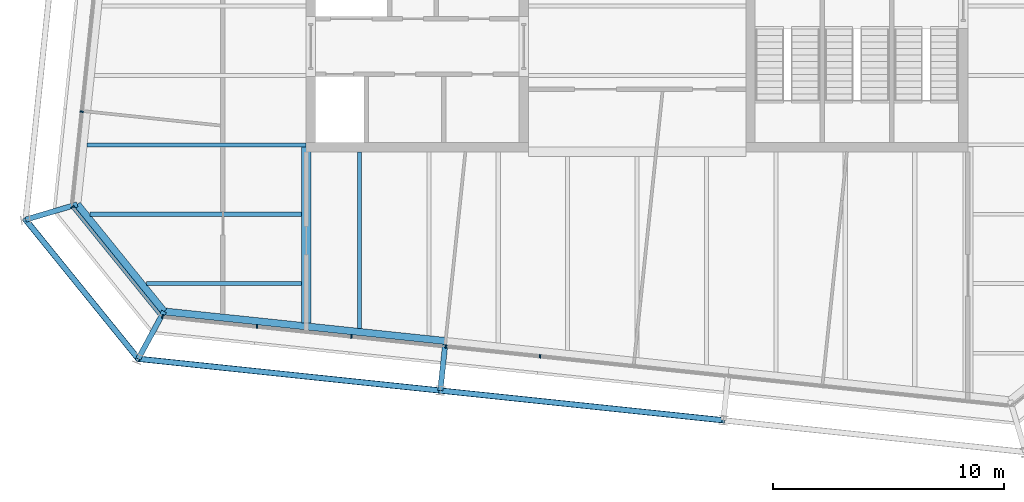
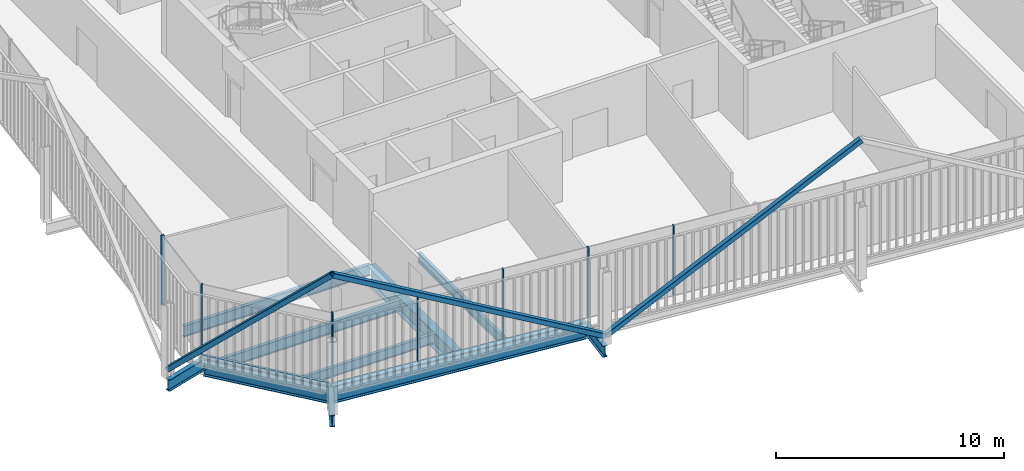
# One storey, part 3 of 21: 11 members, 10 beams, 3 elements without a shape of their own.
"""IFC4 building model written with IfcOpenShell, lengths in metres."""

from ifc_helpers import new_model, si_unit, direction, frame, origin, origin_2d, place, context, subcontext, project, spatial, rectangle, hollow_rectangle, i_section, extrude, material, layer, layer_set, material_profile, profile_set, type_object, element, aggregate, save


model = new_model("IFC4")

# Units and contexts
model_context = context("Model", 3, precision=1e-05, world=origin(), true_north=direction((0.0, 1.0)))
body_context = subcontext(model_context, "Body", "Model", "MODEL_VIEW")
ifc_project = project(units=[si_unit("LENGTHUNIT", "METRE"), si_unit("AREAUNIT", "SQUARE_METRE"), si_unit("VOLUMEUNIT", "CUBIC_METRE"), si_unit("PLANEANGLEUNIT", "RADIAN"), si_unit("MASSUNIT", "GRAM", prefix="KILO")], contexts=[model_context])

# Site, building, storey
site_placement = place(None, origin())
site = spatial("IfcSite", under=ifc_project, at=site_placement, CompositionType="ELEMENT")
building_placement = place(site_placement, origin())
building = spatial("IfcBuilding", under=site, at=building_placement, Name="Millrace Tower", CompositionType="ELEMENT")
storey_placement = place(building_placement, frame((0.0, 0.0, 291.60009765625)))
storey = spatial("IfcBuildingStorey", under=building, at=storey_placement, Name="L67", CompositionType="ELEMENT", Elevation=291.60009765625)

# Curtain wall, member
ifc_material_1 = material(Name="Aluminium and glass", Category="aluminium")
ifc_layer = layer(ifc_material_1, 0.14990234375)
ifc_layer_set = layer_set([ifc_layer], Name="Aluminium and glass")
curtain_wall_type = type_object("IfcCurtainWallType", Name="CW-1 office vision curtain wall", PredefinedType="NOTDEFINED", material=ifc_layer_set)
placement = place(storey_placement, origin())
curtain_wall_1 = element("IfcCurtainWall", 1, at=placement, inside=storey, type_object=curtain_wall_type, Name="Curtain wall E-F01 L67", PredefinedType="NOTDEFINED")
ifc_material_2 = material(Name="Aluminium", Category="aluminium")
ifc_material_profile_1 = material_profile(ifc_material_2, rectangle(XDim=0.06494140625, YDim=0.14990234375, at=origin_2d()))
ifc_profile_set_1 = profile_set([ifc_material_profile_1], Name="Aluminium")
member_type_1 = type_object("IfcMemberType", Name="CW-1 office vision curtain wall mullion", PredefinedType="MULLION", material=ifc_profile_set_1)
member_1_placement = place(storey_placement, frame((-24.391845703125, -11.693359375, 0.139892578125), z_axis=(0.0, 0.0, 1.0), x_axis=(0.629320278945, -0.777146052237, 0.0)))
member_1 = element("IfcMember", 2, at=member_1_placement, type_object=member_type_1, Name="CW1 mullion E-F01.1", PredefinedType="MULLION", context=body_context, shape_type="SweptSolid", body=[
    extrude(rectangle(XDim=0.06494140625, YDim=0.14990234375, at=origin_2d()), origin(), (0.0, 0.0, 1.0), 3.760009765625),
])

# Curtain wall, members
curtain_wall_2 = element("IfcCurtainWall", 3, at=placement, inside=storey, type_object=curtain_wall_type, Name="Curtain wall E-F02 L67", PredefinedType="NOTDEFINED")
member_2_placement = place(storey_placement, frame((-20.50244140625, -16.4248046875, 0.139892578125), z_axis=(0.0, 0.0, 1.0), x_axis=(0.994521896217, -0.104528455196, 0.0)))
member_2 = element("IfcMember", 4, at=member_2_placement, type_object=member_type_1, Name="CW1 mullion E-F02.1", PredefinedType="MULLION", context=body_context, shape_type="SweptSolid", body=[
    extrude(rectangle(XDim=0.06494140625, YDim=0.14990234375, at=origin_2d()), origin(), (0.0, 0.0, 1.0), 3.760009765625),
])
member_3_placement = place(storey_placement, frame((-16.425048828125, -16.853271484375, 0.139892578125), z_axis=(0.0, 0.0, 1.0), x_axis=(0.994521896217, -0.104528455196, 0.0)))
member_3 = element("IfcMember", 5, at=member_3_placement, type_object=member_type_1, Name="CW1 mullion E-F02.2", PredefinedType="MULLION", context=body_context, shape_type="SweptSolid", body=[
    extrude(rectangle(XDim=0.06494140625, YDim=0.14990234375, at=origin_2d()), origin(), (0.0, 0.0, 1.0), 3.760009765625),
])
member_4_placement = place(storey_placement, frame((-12.347412109375, -17.281982421875, 0.139892578125), z_axis=(0.0, 0.0, 1.0), x_axis=(0.994521896217, -0.104528455196, 0.0)))
member_4 = element("IfcMember", 6, at=member_4_placement, type_object=member_type_1, Name="CW1 mullion E-F02.3", PredefinedType="MULLION", context=body_context, shape_type="SweptSolid", body=[
    extrude(rectangle(XDim=0.06494140625, YDim=0.14990234375, at=origin_2d()), origin(), (0.0, 0.0, 1.0), 3.760009765625),
])
member_5_placement = place(storey_placement, frame((-8.269775390625, -17.71044921875, 0.139892578125), z_axis=(0.0, 0.0, 1.0), x_axis=(0.994521896217, -0.104528455196, 0.0)))
member_5 = element("IfcMember", 7, at=member_5_placement, type_object=member_type_1, Name="CW1 mullion E-F02.4", PredefinedType="MULLION", context=body_context, shape_type="SweptSolid", body=[
    extrude(rectangle(XDim=0.06494140625, YDim=0.14990234375, at=origin_2d()), origin(), (0.0, 0.0, 1.0), 3.760009765625),
])
member_6_placement = place(storey_placement, frame((-4.1923828125, -18.13916015625, 0.139892578125), z_axis=(0.0, 0.0, 1.0), x_axis=(0.994521896217, -0.104528455196, 0.0)))
member_6 = element("IfcMember", 8, at=member_6_placement, type_object=member_type_1, Name="CW1 mullion E-F02.5", PredefinedType="MULLION", context=body_context, shape_type="SweptSolid", body=[
    extrude(rectangle(XDim=0.06494140625, YDim=0.14990234375, at=origin_2d()), origin(), (0.0, 0.0, 1.0), 3.760009765625),
])
aggregate(curtain_wall_2, [member_2, member_3, member_4, member_5, member_6])

# Curtain wall, member
curtain_wall_3 = element("IfcCurtainWall", 9, at=placement, inside=storey, type_object=curtain_wall_type, Name="Curtain wall E-F08 L67", PredefinedType="NOTDEFINED")
member_7_placement = place(storey_placement, frame((-24.00341796875, -7.56787109375, 0.139892578125), z_axis=(0.0, 0.0, 1.0), x_axis=(-0.104528455196, -0.994521896217, 0.0)))
member_7 = element("IfcMember", 10, at=member_7_placement, type_object=member_type_1, Name="CW1 mullion E-F08.9", PredefinedType="MULLION", context=body_context, shape_type="SweptSolid", body=[
    extrude(rectangle(XDim=0.06494140625, YDim=0.14990234375, at=origin_2d()), origin(), (0.0, 0.0, 1.0), 3.760009765625),
])
aggregate(curtain_wall_3, [member_7])

# Member
ifc_material_3 = material(Name="Aluminium", Category="aluminium")
ifc_material_profile_2 = material_profile(ifc_material_3, rectangle(XDim=0.14990234375, YDim=0.139892578125, at=origin_2d()))
ifc_profile_set_2 = profile_set([ifc_material_profile_2], Name="Aluminium")
member_type_2 = type_object("IfcMemberType", Name="CW-1 office vision curtain wall transom", PredefinedType="USERDEFINED", material=ifc_profile_set_2)
member_8_placement = place(storey_placement, frame((-24.349365234375, -11.745849609375, 0.06982421875), z_axis=(0.629321221277, -0.777145289151, 0.0), x_axis=(0.777145289151, 0.629321221277, 0.0)))
member_8 = element("IfcMember", 11, at=member_8_placement, type_object=member_type_2, Name="CW1 transom E-F01.1", ObjectType="TRANSOM", PredefinedType="USERDEFINED", context=body_context, shape_type="SweptSolid", body=[
    extrude(rectangle(XDim=0.14990234375, YDim=0.139892578125, at=origin_2d()), origin(), (0.0, 0.0, 1.0), 5.881103515625),
])

aggregate(curtain_wall_1, [member_1, member_8])

# Members
ifc_material_4 = material(Name="Steel ASTM A500 Grade C", Category="steel")
ifc_material_profile_3 = material_profile(ifc_material_4, hollow_rectangle(XDim=0.25390625, YDim=0.25390625, WallThickness=0.0126953125, InnerFilletRadius=0.00634765625, OuterFilletRadius=0.01904296875, at=origin_2d()))
ifc_profile_set_3 = profile_set([ifc_material_profile_3], Name="Steel ASTM A500 Grade C")
member_type_3 = type_object("IfcMemberType", Name="Exoskeleton brace HSS10x10x1/2", PredefinedType="BRACE", material=ifc_profile_set_3)
member_9_placement = place(storey_placement, frame((-26.429443359375, -12.23583984375, 0.39990234375), z_axis=(0.466694392708, -0.57631352586, 0.670864415308), x_axis=(0.777142728993, 0.62932438279, 0.0)))
element("IfcMember", 12, at=member_9_placement, inside=storey, type_object=member_type_3, Name="BRC-E-L67-01", PredefinedType="BRACE", context=body_context, shape_type="SweptSolid", body=[
    extrude(hollow_rectangle(XDim=0.25390625, YDim=0.25390625, WallThickness=0.0126953125, InnerFilletRadius=0.00634765625, OuterFilletRadius=0.01904296875, at=origin_2d()), origin(), (0.0, 0.0, 1.0), 10.434326171875),
])
member_10_placement = place(storey_placement, frame((-8.50341796875, -19.62158203125, 0.39990234375), z_axis=(-0.877568210125, 0.092238278747, 0.470495628578), x_axis=(-0.104530865473, -0.994521642883, 0.0)))
element("IfcMember", 13, at=member_10_placement, inside=storey, type_object=member_type_3, Name="BRC-E-L67-02", PredefinedType="BRACE", context=body_context, shape_type="SweptSolid", body=[
    extrude(hollow_rectangle(XDim=0.25390625, YDim=0.25390625, WallThickness=0.0126953125, InnerFilletRadius=0.00634765625, OuterFilletRadius=0.01904296875, at=origin_2d()), origin(), (0.0, 0.0, 1.0), 14.8779296875),
])
member_11_placement = place(storey_placement, frame((-8.50341796875, -19.62158203125, 0.39990234375), z_axis=(0.864351522622, -0.090842732624, 0.494615045537), x_axis=(0.104523600289, 0.994522406476, 0.0)))
element("IfcMember", 14, at=member_11_placement, inside=storey, type_object=member_type_3, Name="BRC-E-L67-03", PredefinedType="BRACE", context=body_context, shape_type="SweptSolid", body=[
    extrude(hollow_rectangle(XDim=0.25390625, YDim=0.25390625, WallThickness=0.0126953125, InnerFilletRadius=0.00634765625, OuterFilletRadius=0.01904296875, at=origin_2d()), origin(), (0.0, 0.0, 1.0), 14.15234375),
])

# Beams
ifc_material_5 = material(Name="Steel ASTM A992 Grade 50", Category="steel")
ifc_material_profile_4 = material_profile(ifc_material_5, i_section(OverallWidth=0.1650390625, OverallDepth=0.52587890625, WebThickness=0.0087890625, FlangeThickness=0.011474609375, FilletRadius=0.0126953125, at=origin_2d()))
ifc_profile_set_4 = profile_set([ifc_material_profile_4], Name="Steel ASTM A992 Grade 50")
beam_type_1 = type_object("IfcBeamType", Name="Floor beam W21x44", PredefinedType="JOIST", material=ifc_profile_set_4)
beam_1_placement = place(storey_placement, frame((-12.0, -16.93408203125, -0.423095703125), z_axis=(0.0, 1.0, 0.0), x_axis=(-1.0, 0.0, 0.0)))
element("IfcBeam", 15, at=beam_1_placement, inside=storey, type_object=beam_type_1, Name="BM-E-L67-S1-S037", PredefinedType="JOIST", context=body_context, shape_type="SweptSolid", body=[
    extrude(i_section(OverallWidth=0.1650390625, OverallDepth=0.52587890625, WebThickness=0.0087890625, FlangeThickness=0.011474609375, FilletRadius=0.0126953125, at=origin_2d()), origin(), (0.0, 0.0, 1.0), 7.634033203125),
])
beam_2_placement = place(storey_placement, frame((-21.214111328125, -15.0, -0.423095703125), z_axis=(1.0, 0.0, 0.0), x_axis=(0.0, 1.0, 0.0)))
element("IfcBeam", 16, at=beam_2_placement, inside=storey, type_object=beam_type_1, Name="BM-E-L67-S1-S002", PredefinedType="JOIST", context=body_context, shape_type="SweptSolid", body=[
    extrude(i_section(OverallWidth=0.1650390625, OverallDepth=0.52587890625, WebThickness=0.0087890625, FlangeThickness=0.011474609375, FilletRadius=0.0126953125, at=origin_2d()), origin(), (0.0, 0.0, 1.0), 6.70458984375),
])
ifc_material_6 = material(Name="Steel ASTM A992 Grade 50", Category="steel")
ifc_material_profile_5 = material_profile(ifc_material_6, i_section(OverallWidth=0.177978515625, OverallDepth=0.599365234375, WebThickness=0.010009765625, FlangeThickness=0.012939453125, FilletRadius=0.012939453125, at=origin_2d()))
ifc_profile_set_5 = profile_set([ifc_material_profile_5], Name="Steel ASTM A992 Grade 50")
beam_type_2 = type_object("IfcBeamType", Name="Floor beam W24x55", PredefinedType="JOIST", material=ifc_profile_set_5)
beam_3_placement = place(storey_placement, frame((-23.76953125, -9.0, -0.459716796875), z_axis=(1.0, 0.0, 0.0), x_axis=(0.0, 1.0, 0.0)))
element("IfcBeam", 17, at=beam_3_placement, inside=storey, type_object=beam_type_2, Name="BM-E-L67-S1-S006", PredefinedType="JOIST", context=body_context, shape_type="SweptSolid", body=[
    extrude(i_section(OverallWidth=0.177978515625, OverallDepth=0.599365234375, WebThickness=0.010009765625, FlangeThickness=0.012939453125, FilletRadius=0.012939453125, at=origin_2d()), origin(), (0.0, 0.0, 1.0), 9.469482421875),
])
beam_4_placement = place(storey_placement, frame((-23.635498046875, -12.0, -0.459716796875), z_axis=(1.0, 0.0, 0.0), x_axis=(0.0, 1.0, 0.0)))
element("IfcBeam", 18, at=beam_4_placement, inside=storey, type_object=beam_type_2, Name="BM-E-L67-S1-S004", PredefinedType="JOIST", context=body_context, shape_type="SweptSolid", body=[
    extrude(i_section(OverallWidth=0.177978515625, OverallDepth=0.599365234375, WebThickness=0.010009765625, FlangeThickness=0.012939453125, FilletRadius=0.012939453125, at=origin_2d()), origin(), (0.0, 0.0, 1.0), 9.1259765625),
])
ifc_material_7 = material(Name="Steel ASTM A992 Grade 50", Category="steel")
ifc_material_profile_6 = material_profile(ifc_material_7, i_section(OverallWidth=0.419189453125, OverallDepth=0.927001953125, WebThickness=0.019287109375, FlangeThickness=0.031982421875, FilletRadius=0.024169921875, at=origin_2d()))
ifc_profile_set_6 = profile_set([ifc_material_profile_6], Name="Steel ASTM A992 Grade 50")
beam_type_3 = type_object("IfcBeamType", Name="Girder short span W36x231", PredefinedType="BEAM", material=ifc_profile_set_6)
beam_5_placement = place(storey_placement, frame((-14.300048828125, -16.6923828125, -0.62353515625), z_axis=(0.0, 1.0, 0.0), x_axis=(-1.0, 0.0, 0.0)))
element("IfcBeam", 19, at=beam_5_placement, inside=storey, type_object=beam_type_3, Name="BM-E-L67-S1-G055", PredefinedType="BEAM", context=body_context, shape_type="SweptSolid", body=[
    extrude(i_section(OverallWidth=0.419189453125, OverallDepth=0.927001953125, WebThickness=0.019287109375, FlangeThickness=0.031982421875, FilletRadius=0.024169921875, at=origin_2d()), origin(), (0.0, 0.0, 1.0), 7.600341796875),
])
ifc_material_8 = material(Name="Steel ASTM A992 Grade 50", Category="steel")
ifc_material_profile_7 = material_profile(ifc_material_8, i_section(OverallWidth=0.23046875, OverallDepth=0.6171875, WebThickness=0.01318359375, FlangeThickness=0.022216796875, FilletRadius=0.012939453125, at=origin_2d()))
ifc_profile_set_7 = profile_set([ifc_material_profile_7], Name="Steel ASTM A992 Grade 50")
beam_type_4 = type_object("IfcBeamType", Name="Link beam W24x94", PredefinedType="BEAM", material=ifc_profile_set_7)
beam_6_placement = place(storey_placement, frame((-24.1943359375, -11.57373046875, -0.46875), z_axis=(-0.958815015936, -0.284031275065, 0.0), x_axis=(0.284031275065, -0.958815015936, 0.0)))
element("IfcBeam", 20, at=beam_6_placement, inside=storey, type_object=beam_type_4, Name="LNK-E-L67-S1-01", PredefinedType="BEAM", context=body_context, shape_type="SweptSolid", body=[
    extrude(i_section(OverallWidth=0.23046875, OverallDepth=0.6171875, WebThickness=0.01318359375, FlangeThickness=0.022216796875, FilletRadius=0.012939453125, at=origin_2d()), origin(), (0.0, 0.0, 1.0), 2.3310546875),
])
beam_7_placement = place(storey_placement, frame((-8.29443359375, -17.632568359375, -0.46875), z_axis=(-0.104494148666, -0.99452550138, 0.0), x_axis=(0.99452550138, -0.104494148666, 0.0)))
element("IfcBeam", 21, at=beam_7_placement, inside=storey, type_object=beam_type_4, Name="LNK-E-L67-S1-15", PredefinedType="BEAM", context=body_context, shape_type="SweptSolid", body=[
    extrude(i_section(OverallWidth=0.23046875, OverallDepth=0.6171875, WebThickness=0.01318359375, FlangeThickness=0.022216796875, FilletRadius=0.012939453125, at=origin_2d()), origin(), (0.0, 0.0, 1.0), 2.0),
])
beam_8_placement = place(storey_placement, frame((-20.447509765625, -16.20068359375, -0.46875), z_axis=(-0.477163510307, -0.87881453358, 0.0), x_axis=(0.87881453358, -0.477163510307, 0.0)))
element("IfcBeam", 22, at=beam_8_placement, inside=storey, type_object=beam_type_4, Name="LNK-E-L67-S1-16", PredefinedType="BEAM", context=body_context, shape_type="SweptSolid", body=[
    extrude(i_section(OverallWidth=0.23046875, OverallDepth=0.6171875, WebThickness=0.01318359375, FlangeThickness=0.022216796875, FilletRadius=0.012939453125, at=origin_2d()), origin(), (0.0, 0.0, 1.0), 2.3310546875),
])
ifc_material_9 = material(Name="Steel ASTM A992 Grade 50", Category="steel")
ifc_material_profile_8 = material_profile(ifc_material_9, i_section(OverallWidth=0.307373046875, OverallDepth=0.927001953125, WebThickness=0.01953125, FlangeThickness=0.031982421875, FilletRadius=0.01904296875, at=origin_2d()))
ifc_profile_set_8 = profile_set([ifc_material_profile_8], Name="Steel ASTM A992 Grade 50")
beam_type_5 = type_object("IfcBeamType", Name="Ring beam medium span W36x194", PredefinedType="SPANDREL", material=ifc_profile_set_8)
beam_9_placement = place(storey_placement, frame((-8.2783203125, -17.479736328125, -0.62353515625), z_axis=(-0.994521730693, 0.104530030035, 0.0), x_axis=(-0.104530030035, -0.994521730693, 0.0)))
element("IfcBeam", 23, at=beam_9_placement, inside=storey, type_object=beam_type_5, Name="RNG-E-L67-S1-15", PredefinedType="SPANDREL", context=body_context, shape_type="SweptSolid", body=[
    extrude(i_section(OverallWidth=0.307373046875, OverallDepth=0.927001953125, WebThickness=0.01953125, FlangeThickness=0.031982421875, FilletRadius=0.01904296875, at=origin_2d()), origin(), (0.0, 0.0, 1.0), 12.236328125),
])
ifc_material_10 = material(Name="Steel ASTM A992 Grade 50", Category="steel")
ifc_material_profile_9 = material_profile(ifc_material_10, i_section(OverallWidth=0.307373046875, OverallDepth=0.927001953125, WebThickness=0.01953125, FlangeThickness=0.031982421875, FilletRadius=0.01904296875, at=origin_2d()))
ifc_profile_set_9 = profile_set([ifc_material_profile_9], Name="Steel ASTM A992 Grade 50")
beam_type_6 = type_object("IfcBeamType", Name="Ring beam short span W36x194", PredefinedType="SPANDREL", material=ifc_profile_set_9)
beam_10_placement = place(storey_placement, frame((-20.447509765625, -16.20068359375, -0.62353515625), z_axis=(-0.629319722443, 0.777146502883, 0.0), x_axis=(-0.777146502883, -0.629319722443, 0.0)))
element("IfcBeam", 24, at=beam_10_placement, inside=storey, type_object=beam_type_6, Name="RNG-E-L67-S1-16", PredefinedType="SPANDREL", context=body_context, shape_type="SweptSolid", body=[
    extrude(i_section(OverallWidth=0.307373046875, OverallDepth=0.927001953125, WebThickness=0.01953125, FlangeThickness=0.031982421875, FilletRadius=0.01904296875, at=origin_2d()), origin(), (0.0, 0.0, 1.0), 5.953857421875),
])

save(model, "model.ifc")
